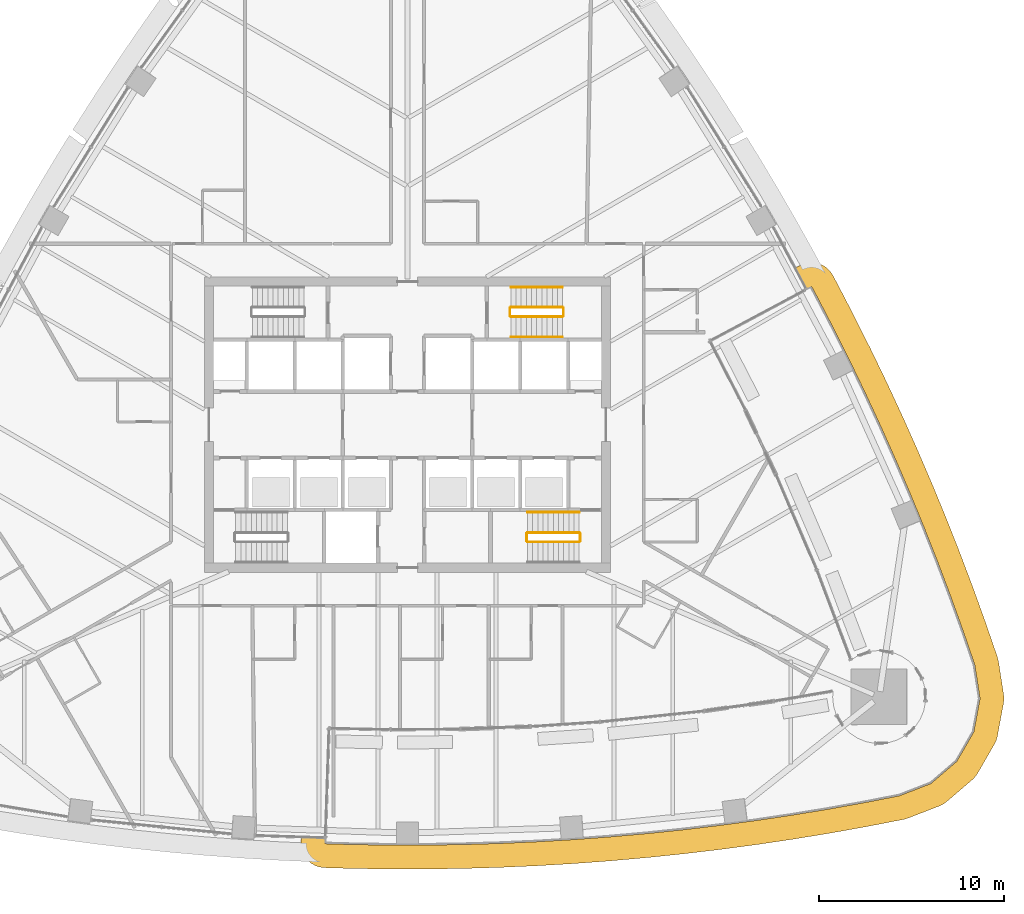
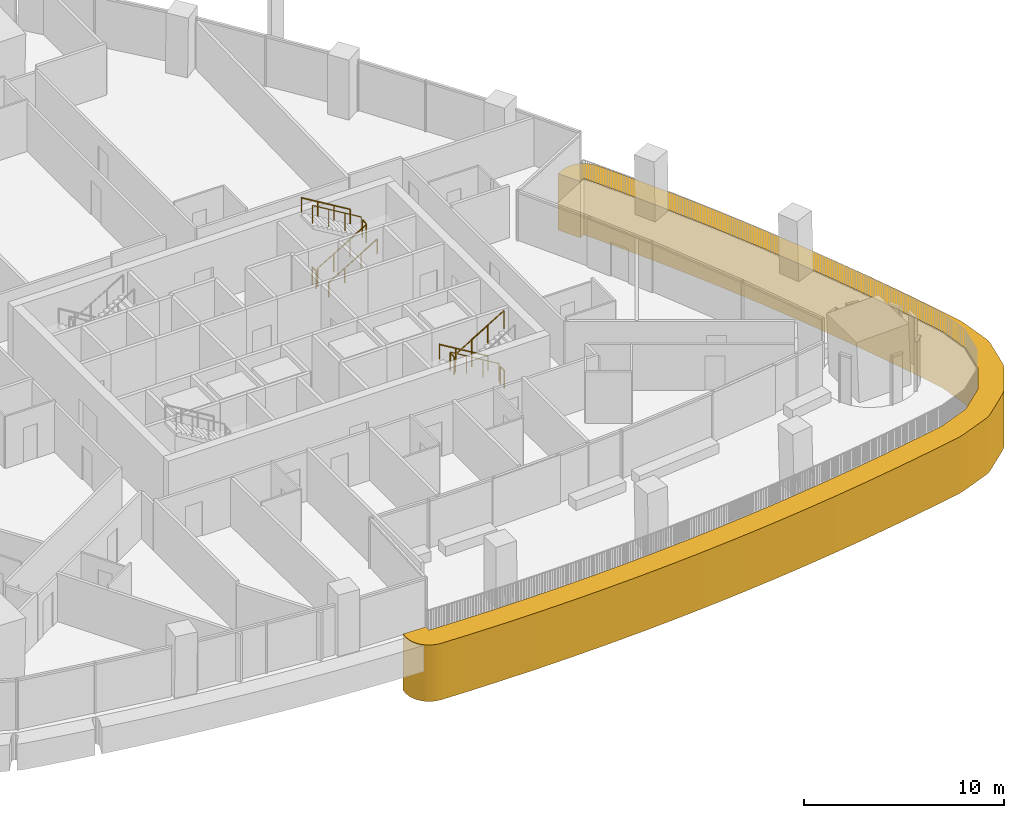
# One storey, part 20 of 22: 11 railings, 1 covering.
"""IFC4 building model written with IfcOpenShell, lengths in metres."""

from ifc_helpers import new_model, si_unit, direction, frame, origin, origin_2d, place, context, subcontext, project, spatial, polyline, circle, outline, extrude, material, layer, layer_set, type_object, element, save


model = new_model("IFC4")

# Units and contexts
model_context = context("Model", 3, precision=1e-05, world=origin(), true_north=direction((0.0, 1.0)))
body_context = subcontext(model_context, "Body", "Model", "MODEL_VIEW")
ifc_project = project(units=[si_unit("LENGTHUNIT", "METRE"), si_unit("AREAUNIT", "SQUARE_METRE"), si_unit("VOLUMEUNIT", "CUBIC_METRE"), si_unit("PLANEANGLEUNIT", "RADIAN"), si_unit("MASSUNIT", "GRAM", prefix="KILO")], contexts=[model_context])

# Site, building, storey
site_placement = place(None, origin())
site = spatial("IfcSite", under=ifc_project, at=site_placement, CompositionType="ELEMENT")
building_placement = place(site_placement, origin())
building = spatial("IfcBuilding", under=site, at=building_placement, Name="Sierra Prisma Convention Tower", CompositionType="ELEMENT")
storey_placement = place(building_placement, frame((0.0, 0.0, 103.5)))
storey = spatial("IfcBuildingStorey", under=building, at=storey_placement, Name="L22", CompositionType="ELEMENT", Elevation=103.5)

# Railings
ifc_material_1 = material(Name="Stainless steel", Category="steel")
railing_type_1 = type_object("IfcRailingType", Name="Exit stair handrail", PredefinedType="HANDRAIL", material=ifc_material_1)
railing_1_placement = place(storey_placement, frame((9.300048828125, -4.75, 0.168212890625)))
element("IfcRailing", 1, at=railing_1_placement, inside=storey, type_object=railing_type_1, Name="L22 S2 stair handrail 1", PredefinedType="HANDRAIL", context=body_context, shape_type="SweptSolid", body=[
    extrude(circle(Radius=0.02392578125, at=origin_2d()), frame((0.0, 0.0, 0.8759765625), z_axis=(-0.857242210791, 0.0, 0.514913383045), x_axis=(0.0, -1.0, 0.0)), (0.0, 0.0, 1.0), 3.266357421875),
    extrude(circle(Radius=0.02099609375, at=origin_2d()), origin(), (0.0, 0.0, 1.0), 0.851806640625),
    extrude(circle(Radius=0.02099609375, at=origin_2d()), frame((-0.933349609375, 0.0, 0.560546875)), (0.0, 0.0, 1.0), 0.851806640625),
    extrude(circle(Radius=0.02099609375, at=origin_2d()), frame((-1.86669921875, 0.0, 1.121337890625)), (0.0, 0.0, 1.0), 0.851806640625),
    extrude(circle(Radius=0.02099609375, at=origin_2d()), frame((-2.800048828125, 0.0, 1.681884765625)), (0.0, 0.0, 1.0), 0.851806640625),
])
railing_2_placement = place(storey_placement, frame((5.60009765625, 4.75, 0.168212890625)))
element("IfcRailing", 2, at=railing_2_placement, inside=storey, type_object=railing_type_1, Name="L22 S4 stair handrail 1", PredefinedType="HANDRAIL", context=body_context, shape_type="SweptSolid", body=[
    extrude(circle(Radius=0.02392578125, at=origin_2d()), frame((0.0, 0.0, 0.8759765625), z_axis=(0.857222391501, 0.0, 0.514946377315), x_axis=(0.0, 1.0, 0.0)), (0.0, 0.0, 1.0), 3.26611328125),
    extrude(circle(Radius=0.02099609375, at=origin_2d()), origin(), (0.0, 0.0, 1.0), 0.851806640625),
    extrude(circle(Radius=0.02099609375, at=origin_2d()), frame((0.933349609375, 0.0, 0.560546875)), (0.0, 0.0, 1.0), 0.851806640625),
    extrude(circle(Radius=0.02099609375, at=origin_2d()), frame((1.866455078125, 0.0, 1.121337890625)), (0.0, 0.0, 1.0), 0.851806640625),
    extrude(circle(Radius=0.02099609375, at=origin_2d()), frame((2.7998046875, 0.0, 1.681884765625)), (0.0, 0.0, 1.0), 0.851806640625),
])
railing_3_placement = place(storey_placement, frame((8.39990234375, 7.449951171875, 2.01806640625)))
element("IfcRailing", 3, at=railing_3_placement, inside=storey, type_object=railing_type_1, Name="L22 S4 stair handrail 2", PredefinedType="HANDRAIL", context=body_context, shape_type="SweptSolid", body=[
    extrude(circle(Radius=0.02392578125, at=origin_2d()), frame((0.0, 0.0, 0.8759765625), z_axis=(-0.857222391501, 0.0, 0.514946377315), x_axis=(0.0, -1.0, 0.0)), (0.0, 0.0, 1.0), 3.26611328125),
    extrude(circle(Radius=0.02099609375, at=origin_2d()), origin(), (0.0, 0.0, 1.0), 0.851806640625),
    extrude(circle(Radius=0.02099609375, at=origin_2d()), frame((-0.933349609375, 0.0, 0.560546875)), (0.0, 0.0, 1.0), 0.851806640625),
    extrude(circle(Radius=0.02099609375, at=origin_2d()), frame((-1.866455078125, 0.0, 1.121337890625)), (0.0, 0.0, 1.0), 0.851806640625),
    extrude(circle(Radius=0.02099609375, at=origin_2d()), frame((-2.7998046875, 0.0, 1.681884765625)), (0.0, 0.0, 1.0), 0.851806640625),
])
ifc_material_2 = material(Name="Stainless steel", Category="steel")
railing_type_2 = type_object("IfcRailingType", Name="Stair guard 1100", PredefinedType="GUARDRAIL", material=ifc_material_2)
railing_4_placement = place(storey_placement, frame((9.300048828125, -5.85009765625, 0.168212890625)))
element("IfcRailing", 4, at=railing_4_placement, inside=storey, type_object=railing_type_2, Name="L22 S2 stair guard 1", PredefinedType="GUARDRAIL", context=body_context, shape_type="SweptSolid", body=[
    extrude(circle(Radius=0.02392578125, at=origin_2d()), frame((0.0, 0.0, 1.076171875), z_axis=(-0.857242210791, 0.0, 0.514913383045), x_axis=(0.0, -1.0, 0.0)), (0.0, 0.0, 1.0), 3.266357421875),
    extrude(circle(Radius=0.02099609375, at=origin_2d()), origin(), (0.0, 0.0, 1.0), 1.052001953125),
    extrude(circle(Radius=0.02099609375, at=origin_2d()), frame((-0.933349609375, 0.0, 0.560546875)), (0.0, 0.0, 1.0), 1.052001953125),
    extrude(circle(Radius=0.02099609375, at=origin_2d()), frame((-1.86669921875, 0.0, 1.121337890625)), (0.0, 0.0, 1.0), 1.052001953125),
    extrude(circle(Radius=0.02099609375, at=origin_2d()), frame((-2.800048828125, 0.0, 1.681884765625)), (0.0, 0.0, 1.0), 1.052001953125),
])
railing_5_placement = place(storey_placement, frame((6.449951171875, -5.89990234375, 1.85009765625)))
element("IfcRailing", 5, at=railing_5_placement, inside=storey, type_object=railing_type_2, Name="L22 S2 stair guard 2", PredefinedType="GUARDRAIL", context=body_context, shape_type="SweptSolid", body=[
    extrude(circle(Radius=0.02392578125, at=origin_2d()), frame((0.0, 0.0, 1.076171875), z_axis=(0.0, -1.0, 0.0), x_axis=(1.0, 0.0, 0.0)), (0.0, 0.0, 1.0), 0.400146484375),
    extrude(circle(Radius=0.02099609375, at=origin_2d()), origin(), (0.0, 0.0, 1.0), 1.052001953125),
    extrude(circle(Radius=0.02099609375, at=origin_2d()), frame((0.0, -0.400146484375, 0.0)), (0.0, 0.0, 1.0), 1.052001953125),
])
railing_6_placement = place(storey_placement, frame((6.5, -6.35009765625, 2.01806640625)))
element("IfcRailing", 6, at=railing_6_placement, inside=storey, type_object=railing_type_2, Name="L22 S2 stair guard 3", PredefinedType="GUARDRAIL", context=body_context, shape_type="SweptSolid", body=[
    extrude(circle(Radius=0.02392578125, at=origin_2d()), frame((0.0, 0.0, 1.076171875), z_axis=(0.857242210791, 0.0, 0.514913383045), x_axis=(0.0, 1.0, 0.0)), (0.0, 0.0, 1.0), 3.266357421875),
    extrude(circle(Radius=0.02099609375, at=origin_2d()), origin(), (0.0, 0.0, 1.0), 1.052001953125),
    extrude(circle(Radius=0.02099609375, at=origin_2d()), frame((0.933349609375, 0.0, 0.560546875)), (0.0, 0.0, 1.0), 1.052001953125),
    extrude(circle(Radius=0.02099609375, at=origin_2d()), frame((1.86669921875, 0.0, 1.121337890625)), (0.0, 0.0, 1.0), 1.052001953125),
    extrude(circle(Radius=0.02099609375, at=origin_2d()), frame((2.800048828125, 0.0, 1.681884765625)), (0.0, 0.0, 1.0), 1.052001953125),
])
railing_7_placement = place(storey_placement, frame((9.35009765625, -5.89990234375, 0.0)))
element("IfcRailing", 7, at=railing_7_placement, inside=storey, type_object=railing_type_2, Name="L22 S2 stair guard 4", PredefinedType="GUARDRAIL", context=body_context, shape_type="SweptSolid", body=[
    extrude(circle(Radius=0.02392578125, at=origin_2d()), frame((0.0, 0.0, 1.076171875), z_axis=(0.0, -1.0, 0.0), x_axis=(1.0, 0.0, 0.0)), (0.0, 0.0, 1.0), 0.400146484375),
    extrude(circle(Radius=0.02099609375, at=origin_2d()), origin(), (0.0, 0.0, 1.0), 1.052001953125),
    extrude(circle(Radius=0.02099609375, at=origin_2d()), frame((0.0, -0.400146484375, 0.0)), (0.0, 0.0, 1.0), 1.052001953125),
])
railing_8_placement = place(storey_placement, frame((5.60009765625, 5.85009765625, 0.168212890625)))
element("IfcRailing", 8, at=railing_8_placement, inside=storey, type_object=railing_type_2, Name="L22 S4 stair guard 1", PredefinedType="GUARDRAIL", context=body_context, shape_type="SweptSolid", body=[
    extrude(circle(Radius=0.02392578125, at=origin_2d()), frame((0.0, 0.0, 1.076171875), z_axis=(0.857222391501, 0.0, 0.514946377315), x_axis=(0.0, 1.0, 0.0)), (0.0, 0.0, 1.0), 3.26611328125),
    extrude(circle(Radius=0.02099609375, at=origin_2d()), origin(), (0.0, 0.0, 1.0), 1.052001953125),
    extrude(circle(Radius=0.02099609375, at=origin_2d()), frame((0.933349609375, 0.0, 0.560546875)), (0.0, 0.0, 1.0), 1.052001953125),
    extrude(circle(Radius=0.02099609375, at=origin_2d()), frame((1.866455078125, 0.0, 1.121337890625)), (0.0, 0.0, 1.0), 1.052001953125),
    extrude(circle(Radius=0.02099609375, at=origin_2d()), frame((2.7998046875, 0.0, 1.681884765625)), (0.0, 0.0, 1.0), 1.052001953125),
])
railing_9_placement = place(storey_placement, frame((8.449951171875, 5.89990234375, 1.85009765625)))
element("IfcRailing", 9, at=railing_9_placement, inside=storey, type_object=railing_type_2, Name="L22 S4 stair guard 2", PredefinedType="GUARDRAIL", context=body_context, shape_type="SweptSolid", body=[
    extrude(circle(Radius=0.02392578125, at=origin_2d()), frame((0.0, 0.0, 1.076171875), z_axis=(0.0, 1.0, 0.0), x_axis=(-1.0, 0.0, 0.0)), (0.0, 0.0, 1.0), 0.400146484375),
    extrude(circle(Radius=0.02099609375, at=origin_2d()), origin(), (0.0, 0.0, 1.0), 1.052001953125),
    extrude(circle(Radius=0.02099609375, at=origin_2d()), frame((0.0, 0.400146484375, 0.0)), (0.0, 0.0, 1.0), 1.052001953125),
])
railing_10_placement = place(storey_placement, frame((8.39990234375, 6.35009765625, 2.01806640625)))
element("IfcRailing", 10, at=railing_10_placement, inside=storey, type_object=railing_type_2, Name="L22 S4 stair guard 3", PredefinedType="GUARDRAIL", context=body_context, shape_type="SweptSolid", body=[
    extrude(circle(Radius=0.02392578125, at=origin_2d()), frame((0.0, 0.0, 1.076171875), z_axis=(-0.857222391501, 0.0, 0.514946377315), x_axis=(0.0, -1.0, 0.0)), (0.0, 0.0, 1.0), 3.26611328125),
    extrude(circle(Radius=0.02099609375, at=origin_2d()), origin(), (0.0, 0.0, 1.0), 1.052001953125),
    extrude(circle(Radius=0.02099609375, at=origin_2d()), frame((-0.933349609375, 0.0, 0.560546875)), (0.0, 0.0, 1.0), 1.052001953125),
    extrude(circle(Radius=0.02099609375, at=origin_2d()), frame((-1.866455078125, 0.0, 1.121337890625)), (0.0, 0.0, 1.0), 1.052001953125),
    extrude(circle(Radius=0.02099609375, at=origin_2d()), frame((-2.7998046875, 0.0, 1.681884765625)), (0.0, 0.0, 1.0), 1.052001953125),
])
railing_11_placement = place(storey_placement, frame((5.550048828125, 5.89990234375, 0.0)))
element("IfcRailing", 11, at=railing_11_placement, inside=storey, type_object=railing_type_2, Name="L22 S4 stair guard 4", PredefinedType="GUARDRAIL", context=body_context, shape_type="SweptSolid", body=[
    extrude(circle(Radius=0.02392578125, at=origin_2d()), frame((0.0, 0.0, 1.076171875), z_axis=(0.0, 1.0, 0.0), x_axis=(-1.0, 0.0, 0.0)), (0.0, 0.0, 1.0), 0.400146484375),
    extrude(circle(Radius=0.02099609375, at=origin_2d()), origin(), (0.0, 0.0, 1.0), 1.052001953125),
    extrude(circle(Radius=0.02099609375, at=origin_2d()), frame((0.0, 0.400146484375, 0.0)), (0.0, 0.0, 1.0), 1.052001953125),
])

# Covering
ifc_material_3 = material(Name="Aluminium composite bronze anodised", Category="aluminium")
ifc_layer = layer(ifc_material_3, 1.300048828125)
ifc_layer_set = layer_set([ifc_layer], Name="Terrace fascia")
covering_type = type_object("IfcCoveringType", Name="Terrace fascia", PredefinedType="CLADDING", material=ifc_layer_set)
covering_placement = place(storey_placement, frame((0.0, 0.0, -3.39990234375)))
element("IfcCovering", 12, at=covering_placement, inside=storey, type_object=covering_type, Name="Terrace fascia L22.1", PredefinedType="CLADDING", context=body_context, shape_type="SweptSolid", body=[
    extrude(outline(polyline([(21.26904296875, 8.63037109375), (21.50390625, 8.727783203125), (21.75341796875, 8.77734375), (22.007568359375, 8.777587890625), (22.257080078125, 8.728271484375), (22.4921875, 8.63134765625), (22.703857421875, 8.490478515625), (22.884033203125, 8.31103515625), (23.02587890625, 8.10009765625), (23.264892578125, 7.65625), (23.27392578125, 7.639404296875), (24.189453125, 5.877197265625), (24.1982421875, 5.860107421875), (25.08740234375, 4.08447265625), (25.095947265625, 4.067138671875), (25.958984375, 2.27880859375), (25.96728515625, 2.26123046875), (26.8037109375, 0.460205078125), (26.8115234375, 0.442626953125), (27.62109375, -1.37060546875), (27.62890625, -1.38818359375), (28.41162109375, -3.213134765625), (28.4189453125, -3.23095703125), (29.174560546875, -5.0673828125), (29.181884765625, -5.085205078125), (29.91015625, -6.9326171875), (29.9169921875, -6.95068359375), (30.617919921875, -8.80859375), (30.62451171875, -8.82666015625), (31.2978515625, -10.69482421875), (31.30419921875, -10.713134765625), (31.94970703125, -12.591064453125), (32.0048828125, -12.81396484375), (32.28759765625, -14.6328125), (32.302978515625, -14.852294921875), (32.281005859375, -15.071044921875), (31.94287109375, -16.880615234375), (31.88427734375, -17.092529296875), (31.790771484375, -17.291748046875), (30.87060546875, -18.8857421875), (30.744873046875, -19.06640625), (30.59033203125, -19.22314453125), (29.1923828125, -20.42041015625), (29.013916015625, -20.549072265625), (28.816162109375, -20.6455078125), (27.099609375, -21.31005859375), (26.87890625, -21.373779296875), (24.929931640625, -21.753662109375), (24.910888671875, -21.757080078125), (22.956298828125, -22.108154296875), (22.9375, -22.111572265625), (20.977783203125, -22.43359375), (20.958984375, -22.4365234375), (18.994873046875, -22.7294921875), (18.975830078125, -22.732177734375), (17.007568359375, -22.99609375), (16.988525390625, -22.99853515625), (15.0166015625, -23.233154296875), (14.99755859375, -23.2353515625), (13.0224609375, -23.44091796875), (13.003173828125, -23.442626953125), (11.025146484375, -23.618896484375), (11.006103515625, -23.62060546875), (9.025634765625, -23.767333984375), (9.006591796875, -23.768798828125), (7.024169921875, -23.88623046875), (7.0048828125, -23.88720703125), (5.02099609375, -23.975341796875), (5.001953125, -23.97607421875), (3.01708984375, -24.034912109375), (2.997802734375, -24.035400390625), (1.01220703125, -24.064697265625), (0.992919921875, -24.06494140625), (-0.992919921875, -24.06494140625), (-1.01220703125, -24.064697265625), (-2.997802734375, -24.035400390625), (-3.01708984375, -24.034912109375), (-4.498046875, -23.990966796875), (-4.75146484375, -23.95849609375), (-4.993408203125, -23.876953125), (-5.21484375, -23.749755859375), (-5.4072265625, -23.58154296875), (-5.56298828125, -23.379150390625), (-5.676025390625, -23.150146484375), (-5.7421875, -22.9033203125), (-5.7587890625, -22.648681640625), (-5.748291015625, -22.331787109375), (-4.448974609375, -22.370361328125), (-4.459716796875, -22.691650390625), (-2.978515625, -22.735595703125), (-0.992919921875, -22.764892578125), (0.992919921875, -22.764892578125), (2.978515625, -22.735595703125), (4.96337890625, -22.6767578125), (6.947265625, -22.58837890625), (8.929443359375, -22.470947265625), (10.909912109375, -22.323974609375), (12.887939453125, -22.147705078125), (14.863037109375, -21.9423828125), (16.8349609375, -21.70751953125), (18.802978515625, -21.44384765625), (20.76708984375, -21.15087890625), (22.7265625, -20.82861328125), (24.68115234375, -20.477783203125), (26.630126953125, -20.09765625), (28.3466796875, -19.43310546875), (29.74462890625, -18.23583984375), (30.6650390625, -16.6416015625), (31.0029296875, -14.83251953125), (30.72021484375, -13.013671875), (30.07470703125, -11.135498046875), (29.401611328125, -9.267578125), (28.70068359375, -7.409423828125), (27.972412109375, -5.56201171875), (27.216796875, -3.7255859375), (26.43408203125, -1.900634765625), (25.62451171875, -0.08740234375), (24.7880859375, 1.7138671875), (23.92529296875, 3.502197265625), (23.035888671875, 5.27783203125), (22.120361328125, 7.039794921875), (21.88134765625, 7.483642578125), (21.59765625, 7.332275390625), (20.981201171875, 8.476806640625), (21.26904296875, 8.63037109375)])), origin(), (0.0, 0.0, 1.0), 3.43994140625),
])

save(model, "model.ifc")
